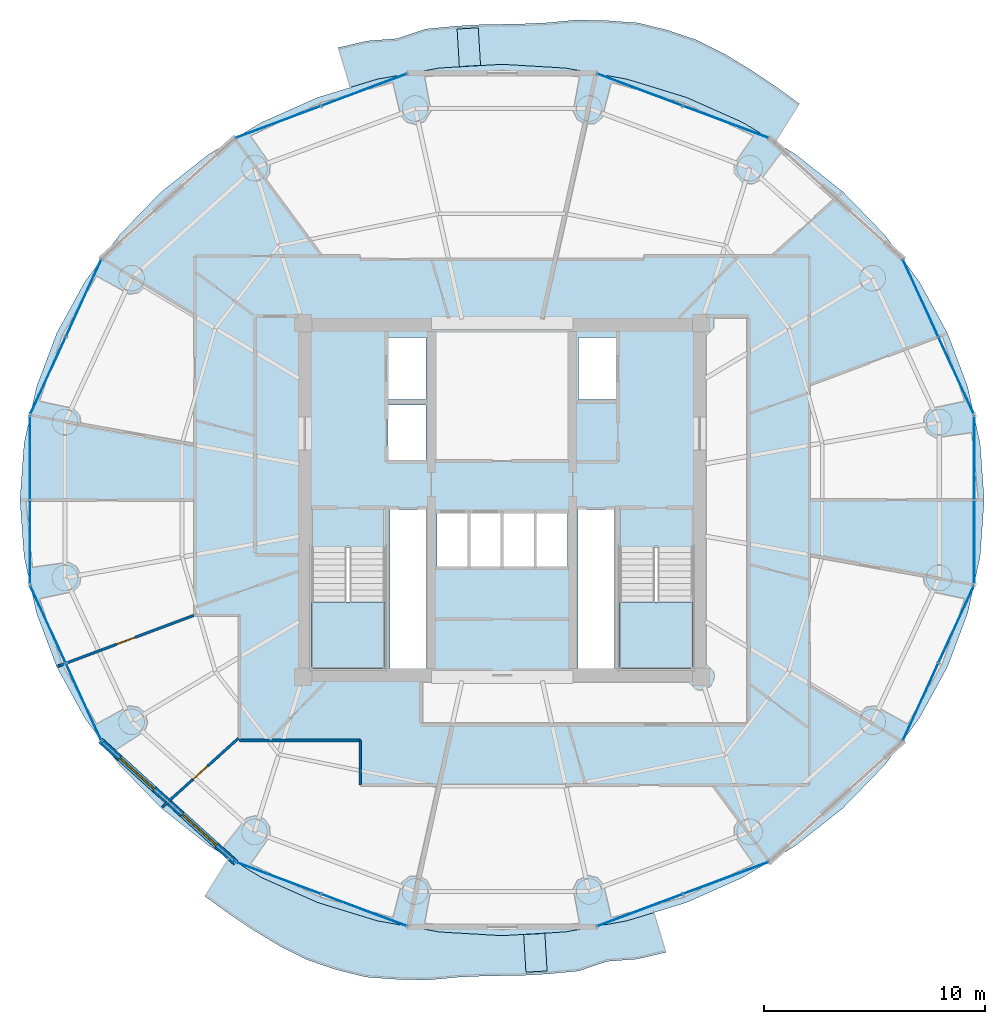
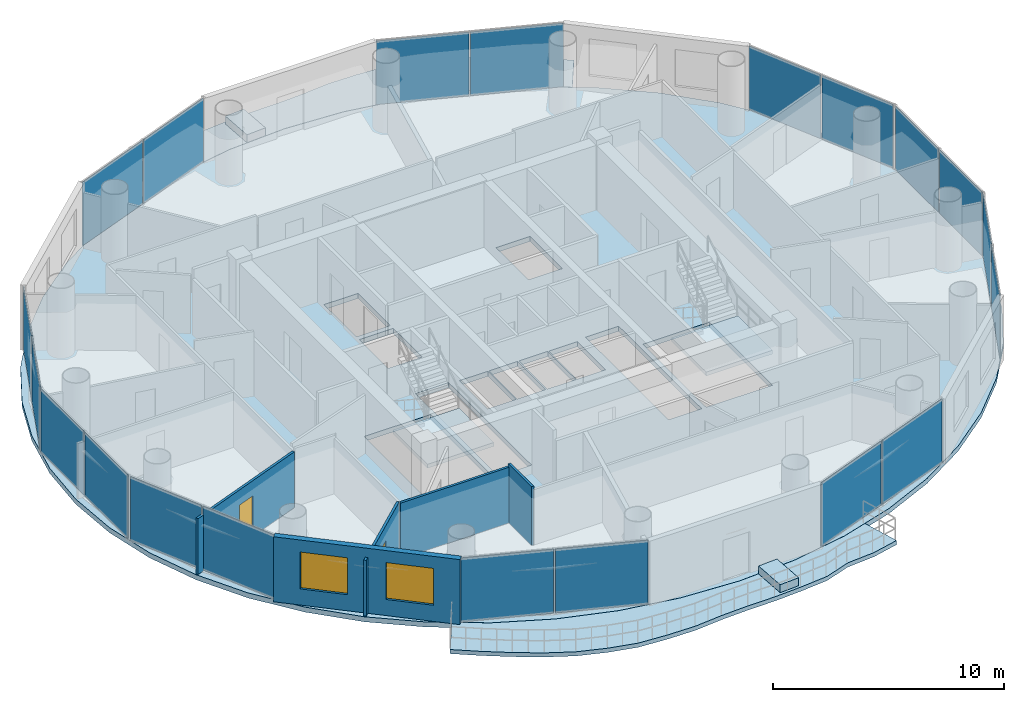
# One storey, part 19 of 26: 20 plates, 7 slabs, 5 walls, 2 doors, 2 windows, 4 openings, 12 elements without a shape of their own.
"""IFC4 building model written with IfcOpenShell, lengths in metres."""

from ifc_helpers import new_model, si_unit, direction, frame, frame_2d, origin, origin_2d, place, context, subcontext, project, spatial, polyline, rectangle, outline, extrude, source, transform, mapped, material, layer, layer_set, type_object, element, fill, aggregate, save


model = new_model("IFC4")

# Units and contexts
model_context = context("Model", 3, precision=1e-05, world=origin(), true_north=direction((-0.2419218956, 0.970295726276)))
body_context = subcontext(model_context, "Body", "Model", "MODEL_VIEW")
ifc_project = project(units=[si_unit("LENGTHUNIT", "METRE"), si_unit("AREAUNIT", "SQUARE_METRE"), si_unit("VOLUMEUNIT", "CUBIC_METRE"), si_unit("PLANEANGLEUNIT", "RADIAN"), si_unit("MASSUNIT", "GRAM", prefix="KILO")], contexts=[model_context])

# Site, building, storey
site_placement = place(None, origin())
site = spatial("IfcSite", under=ifc_project, at=site_placement, CompositionType="ELEMENT")
building_placement = place(site_placement, origin())
building = spatial("IfcBuilding", under=site, at=building_placement, Name="Cobrevalo Terracotta Tower", CompositionType="ELEMENT")
storey_placement = place(building_placement, frame((0.0, 0.0, 228.199951171875)))
storey = spatial("IfcBuildingStorey", under=building, at=storey_placement, Name="L60", CompositionType="ELEMENT", Elevation=228.199951171875)

# Stair, slab
ifc_material_1 = material(Name="Concrete C50", Category="concrete")
stair_type = type_object("IfcStairType", Name="Core protected escape dogleg stair 1600", PredefinedType="HALF_TURN_STAIR", material=ifc_material_1)
stair_1_placement = place(storey_placement, origin())
stair_1 = element("IfcStair", 1, at=stair_1_placement, inside=storey, type_object=stair_type, Name="L60 Protected exit stair ST-1", PredefinedType="HALF_TURN_STAIR")
ifc_layer_1 = layer(ifc_material_1, 0.199951171875)
ifc_layer_set_1 = layer_set([ifc_layer_1], Name="Concrete C50")
slab_type_1 = type_object("IfcSlabType", Name="Reinforced Concrete Stair Landing 200", PredefinedType="LANDING", material=ifc_layer_set_1)
slab_1_placement = place(storey_placement, frame((0.0, 0.0, 1.650146484375)))
slab_1 = element("IfcSlab", 2, at=slab_1_placement, type_object=slab_type_1, Name="ST-1 landing 1", PredefinedType="LANDING", context=body_context, shape_type="SweptSolid", body=[
    extrude(outline(polyline([(29.375, 22.179931640625), (29.375, 19.175048828125), (32.695068359375, 19.175048828125), (32.695068359375, 22.179931640625), (29.375, 22.179931640625)])), origin(), (0.0, 0.0, 1.0), 0.199951171875),
])
aggregate(stair_1, [slab_1])

stair_2_placement = place(storey_placement, origin())
stair_2 = element("IfcStair", 3, at=stair_2_placement, inside=storey, type_object=stair_type, Name="L60 Protected exit stair ST-2", PredefinedType="HALF_TURN_STAIR")
slab_2_placement = place(storey_placement, frame((0.0, 0.0, 1.650146484375)))
slab_2 = element("IfcSlab", 4, at=slab_2_placement, type_object=slab_type_1, Name="ST-2 landing 1", PredefinedType="LANDING", context=body_context, shape_type="SweptSolid", body=[
    extrude(outline(polyline([(43.304931640625, 22.179931640625), (43.304931640625, 19.175048828125), (46.625, 19.175048828125), (46.625, 22.179931640625), (43.304931640625, 22.179931640625)])), origin(), (0.0, 0.0, 1.0), 0.199951171875),
])
aggregate(stair_2, [slab_2])

# Slabs
ifc_material_2 = material(Name="Concrete C45", Category="concrete")
ifc_layer_2 = layer(ifc_material_2, 0.219970703125)
ifc_layer_set_2 = layer_set([ifc_layer_2], Name="Concrete C45")
slab_type_2 = type_object("IfcSlabType", Name="Spiralling cantilevered balcony lobe slab 220 mm", PredefinedType="FLOOR", material=ifc_layer_set_2)
slab_3_placement = place(storey_placement, frame((0.0, 0.0, -0.219970703125)))
element("IfcSlab", 5, at=slab_3_placement, inside=storey, type_object=slab_type_2, Name="L60 spiralling arc balcony slab lobe 1", PredefinedType="FLOOR", context=body_context, shape_type="SweptSolid", body=[
    extrude(outline(polyline([(51.44140625, 44.720703125), (50.351806640625, 45.511474609375), (49.21923828125, 46.2666015625), (48.03955078125, 46.979248046875), (46.802734375, 47.597412109375), (45.487548828125, 48.04296875), (44.14111328125, 48.37548828125), (42.744140625, 48.4775390625), (41.35400390625, 48.5048828125), (39.966064453125, 48.3759765625), (38.601806640625, 48.31640625), (37.248046875, 48.307861328125), (35.894287109375, 48.22802734375), (34.547119140625, 48.10009765625), (33.2529296875, 47.66357421875), (31.899169921875, 47.560546875), (30.5888671875, 47.254150390625), (31.130126953125, 45.454345703125), (32.357177734375, 45.83056640625), (35.154296875, 46.33349609375), (38.0, 46.501953125), (40.845703125, 46.33349609375), (43.642822265625, 45.83056640625), (46.34326171875, 45.002197265625), (48.90087890625, 43.862548828125), (50.357666015625, 42.98291015625), (51.44140625, 44.720703125)])), origin(), (0.0, 0.0, 1.0), 0.219970703125),
])
slab_4_placement = place(storey_placement, frame((0.0, 0.0, -0.219970703125)))
element("IfcSlab", 6, at=slab_4_placement, inside=storey, type_object=slab_type_2, Name="L60 spiralling arc balcony slab lobe 2", PredefinedType="FLOOR", context=body_context, shape_type="SweptSolid", body=[
    extrude(outline(polyline([(24.55859375, 8.87939453125), (25.648193359375, 8.088623046875), (26.78076171875, 7.33349609375), (27.96044921875, 6.620849609375), (29.197265625, 6.002685546875), (30.512451171875, 5.55712890625), (31.85888671875, 5.224609375), (33.255859375, 5.12255859375), (34.64599609375, 5.094970703125), (36.033935546875, 5.223876953125), (37.398193359375, 5.28369140625), (38.751953125, 5.292236328125), (40.105712890625, 5.371826171875), (41.452880859375, 5.5), (42.7470703125, 5.9365234375), (44.100830078125, 6.039306640625), (45.4111328125, 6.345703125), (44.869873046875, 8.145751953125), (43.642822265625, 7.769287109375), (40.845703125, 7.2666015625), (38.0, 7.097900390625), (35.154296875, 7.2666015625), (32.357177734375, 7.769287109375), (29.65673828125, 8.59765625), (27.09912109375, 9.737548828125), (25.642333984375, 10.6171875), (24.55859375, 8.87939453125)])), origin(), (0.0, 0.0, 1.0), 0.219970703125),
])
ifc_material_3 = material(Name="Precast concrete C45", Category="concrete")
ifc_layer_3 = layer(ifc_material_3, 0.419921875)
ifc_layer_set_3 = layer_set([ifc_layer_3], Name="Precast concrete C45")
slab_type_3 = type_object("IfcSlabType", Name="Structural tree planter trough base 420 mm", PredefinedType="USERDEFINED", material=ifc_layer_set_3)
slab_5_placement = place(storey_placement, origin())
element("IfcSlab", 7, at=slab_5_placement, inside=storey, type_object=slab_type_3, Name="L60 structural tree planter trough 1", ObjectType="PLANTER", PredefinedType="USERDEFINED", context=body_context, shape_type="SweptSolid", body=[
    extrude(outline(polyline([(37.025390625, 46.455078125), (36.922607421875, 48.15185546875), (35.96435546875, 48.093994140625), (36.067138671875, 46.397216796875), (37.025390625, 46.455078125)])), origin(), (0.0, 0.0, 1.0), 0.420166015625),
])
slab_6_placement = place(storey_placement, origin())
element("IfcSlab", 8, at=slab_6_placement, inside=storey, type_object=slab_type_3, Name="L60 structural tree planter trough 2", ObjectType="PLANTER", PredefinedType="USERDEFINED", context=body_context, shape_type="SweptSolid", body=[
    extrude(outline(polyline([(38.974609375, 7.14501953125), (39.077392578125, 5.447998046875), (40.03564453125, 5.506103515625), (39.932861328125, 7.202880859375), (38.974609375, 7.14501953125)])), origin(), (0.0, 0.0, 1.0), 0.420166015625),
])
ifc_layer_4 = layer(ifc_material_2, 0.264892578125)
ifc_layer_set_4 = layer_set([ifc_layer_4], Name="Concrete C45")
slab_type_4 = type_object("IfcSlabType", Name="Zone Z4 elliptical floor plate 265 mm", PredefinedType="FLOOR", material=ifc_layer_set_4)
slab_7_placement = place(storey_placement, frame((0.0, 0.0, -0.264892578125)))
element("IfcSlab", 9, at=slab_7_placement, inside=storey, type_object=slab_type_4, Name="L60 indoor elliptical floor slab", PredefinedType="FLOOR", context=body_context, shape_type="SweptSolid", body=[
    extrude(outline(polyline([(59.613525390625, 24.228515625), (59.05712890625, 21.701171875), (58.140625, 19.26123046875), (56.87939453125, 16.949951171875), (55.295166015625, 14.807373046875), (53.4150390625, 12.8701171875), (51.27099609375, 11.1708984375), (48.89990234375, 9.7392578125), (46.342529296875, 8.599609375), (43.642333984375, 7.771240234375), (40.845458984375, 7.2685546875), (38.0, 7.10009765625), (35.154541015625, 7.2685546875), (32.357666015625, 7.771240234375), (29.657470703125, 8.599609375), (27.10009765625, 9.7392578125), (24.72900390625, 11.1708984375), (22.5849609375, 12.8701171875), (20.704833984375, 14.807373046875), (19.12060546875, 16.949951171875), (17.859375, 19.26123046875), (16.94287109375, 21.701171875), (16.386474609375, 24.228515625), (16.199951171875, 26.800048828125), (16.386474609375, 29.371337890625), (16.94287109375, 31.898681640625), (17.859375, 34.3388671875), (19.12060546875, 36.64990234375), (20.704833984375, 38.79248046875), (22.5849609375, 40.72998046875), (24.72900390625, 42.428955078125), (27.10009765625, 43.860595703125), (29.657470703125, 45.00048828125), (32.357666015625, 45.828857421875), (35.154541015625, 46.33154296875), (38.0, 46.5), (40.845458984375, 46.33154296875), (43.642333984375, 45.828857421875), (46.342529296875, 45.00048828125), (48.89990234375, 43.860595703125), (51.27099609375, 42.428955078125), (53.4150390625, 40.72998046875), (55.295166015625, 38.79248046875), (56.87939453125, 36.64990234375), (58.140625, 34.3388671875), (59.05712890625, 31.898681640625), (59.613525390625, 29.371337890625), (59.800048828125, 26.800048828125), (59.613525390625, 24.228515625)]), holes=[polyline([(32.695068359375, 19.175048828125), (32.695068359375, 24.659912109375), (29.375, 24.659912109375), (29.375, 19.175048828125), (32.695068359375, 19.175048828125)]), polyline([(34.574951171875, 26.360107421875), (32.919921875, 26.360107421875), (32.919921875, 19.175048828125), (34.574951171875, 19.175048828125), (34.574951171875, 26.360107421875)]), polyline([(36.47998046875, 26.25), (35.050048828125, 26.25), (35.050048828125, 23.800048828125), (36.47998046875, 23.800048828125), (36.47998046875, 26.25)]), polyline([(37.9599609375, 23.800048828125), (37.9599609375, 26.25), (36.530029296875, 26.25), (36.530029296875, 23.800048828125), (37.9599609375, 23.800048828125)]), polyline([(34.550048828125, 28.60009765625), (34.550048828125, 31.10009765625), (32.85009765625, 31.10009765625), (32.85009765625, 28.60009765625), (34.550048828125, 28.60009765625)]), polyline([(34.550048828125, 34.14990234375), (32.85009765625, 34.14990234375), (32.85009765625, 31.35009765625), (34.550048828125, 31.35009765625), (34.550048828125, 34.14990234375)]), polyline([(43.304931640625, 19.175048828125), (46.625, 19.175048828125), (46.625, 24.659912109375), (43.304931640625, 24.659912109375), (43.304931640625, 19.175048828125)]), polyline([(43.080078125, 19.175048828125), (43.080078125, 26.360107421875), (41.425048828125, 26.360107421875), (41.425048828125, 19.175048828125), (43.080078125, 19.175048828125)]), polyline([(39.469970703125, 26.25), (38.0400390625, 26.25), (38.0400390625, 23.800048828125), (39.469970703125, 23.800048828125), (39.469970703125, 26.25)]), polyline([(40.949951171875, 23.800048828125), (40.949951171875, 26.25), (39.52001953125, 26.25), (39.52001953125, 23.800048828125), (40.949951171875, 23.800048828125)]), polyline([(43.14990234375, 31.35009765625), (43.14990234375, 34.14990234375), (41.449951171875, 34.14990234375), (41.449951171875, 31.35009765625), (43.14990234375, 31.35009765625)])]), origin(), (0.0, 0.0, 1.0), 0.264892578125),
])

# Curtain wall, plates
ifc_material_4 = material(Name="Anodized aluminium", Category="aluminium")
curtain_wall_type = type_object("IfcCurtainWallType", Name="Mid-tower high-wind unitised curtain wall CW-U2", PredefinedType="NOTDEFINED", material=ifc_material_4)
curtain_wall_1_placement = place(storey_placement, origin())
curtain_wall_1 = element("IfcCurtainWall", 10, at=curtain_wall_1_placement, inside=storey, type_object=curtain_wall_type, Name="L60 curtain wall CW-L60-S01", PredefinedType="NOTDEFINED")
ifc_material_5 = material(Name="Solar-control low-E double glazing", Category="glass")
ifc_layer_5 = layer(ifc_material_5, 0.028076171875)
ifc_layer_set_5 = layer_set([ifc_layer_5], Name="Solar-control low-E double glazing")
plate_type = type_object("IfcPlateType", Name="Tower solar-control low-E vision glass panel 28 mm", PredefinedType="CURTAIN_PANEL", material=ifc_layer_set_5)
shared_shape_1 = source(origin(), body_context, "Body", "SweptSolid", [
    extrude(rectangle(XDim=3.780029296875, YDim=0.035888671875, at=origin_2d()), origin(), (0.0, 0.0, 1.0), 3.35498046875),
])
plate_1_placement = place(storey_placement, frame((58.53076171875, 32.42822265625, 0.0400390625), z_axis=(0.0, 0.0, 1.0), x_axis=(-0.416731425355, 0.909029657999, 0.0)))
plate_1 = element("IfcPlate", 11, at=plate_1_placement, type_object=plate_type, Name="CW-L60-S01 glazing panel B01", PredefinedType="CURTAIN_PANEL", context=body_context, shape_type="MappedRepresentation", body=[
    mapped(shared_shape_1, transform((0.0, 0.0, 0.0), scale=1.0)),
])
plate_2_placement = place(storey_placement, frame((56.922119140625, 35.937255859375, 0.0400390625), z_axis=(0.0, 0.0, 1.0), x_axis=(-0.416731425355, 0.909029657999, 0.0)))
plate_2 = element("IfcPlate", 12, at=plate_2_placement, type_object=plate_type, Name="CW-L60-S01 glazing panel B02", PredefinedType="CURTAIN_PANEL", context=body_context, shape_type="MappedRepresentation", body=[
    mapped(shared_shape_1, transform((0.0, 0.0, 0.0), scale=1.0)),
])
aggregate(curtain_wall_1, [plate_1, plate_2])

curtain_wall_2_placement = place(storey_placement, origin())
curtain_wall_2 = element("IfcCurtainWall", 13, at=curtain_wall_2_placement, inside=storey, type_object=curtain_wall_type, Name="L60 curtain wall CW-L60-S07", PredefinedType="NOTDEFINED")
plate_3_placement = place(storey_placement, frame((19.077880859375, 35.937255859375, 0.0400390625), z_axis=(0.0, 0.0, 1.0), x_axis=(-0.416731425355, -0.909029657999, 0.0)))
plate_3 = element("IfcPlate", 14, at=plate_3_placement, type_object=plate_type, Name="CW-L60-S07 glazing panel B01", PredefinedType="CURTAIN_PANEL", context=body_context, shape_type="MappedRepresentation", body=[
    mapped(shared_shape_1, transform((0.0, 0.0, 0.0), scale=1.0)),
])
plate_4_placement = place(storey_placement, frame((17.46923828125, 32.42822265625, 0.0400390625), z_axis=(0.0, 0.0, 1.0), x_axis=(-0.416731425355, -0.909029657999, 0.0)))
plate_4 = element("IfcPlate", 15, at=plate_4_placement, type_object=plate_type, Name="CW-L60-S07 glazing panel B02", PredefinedType="CURTAIN_PANEL", context=body_context, shape_type="MappedRepresentation", body=[
    mapped(shared_shape_1, transform((0.0, 0.0, 0.0), scale=1.0)),
])
aggregate(curtain_wall_2, [plate_3, plate_4])

curtain_wall_3_placement = place(storey_placement, origin())
curtain_wall_3 = element("IfcCurtainWall", 16, at=curtain_wall_3_placement, inside=storey, type_object=curtain_wall_type, Name="L60 curtain wall CW-L60-S09", PredefinedType="NOTDEFINED")
plate_5_placement = place(storey_placement, frame((17.46923828125, 21.171630859375, 0.0400390625), z_axis=(0.0, 0.0, 1.0), x_axis=(0.416731425355, -0.909029657999, 0.0)))
plate_5 = element("IfcPlate", 17, at=plate_5_placement, type_object=plate_type, Name="CW-L60-S09 glazing panel B01", PredefinedType="CURTAIN_PANEL", context=body_context, shape_type="MappedRepresentation", body=[
    mapped(shared_shape_1, transform((0.0, 0.0, 0.0), scale=1.0)),
])
plate_6_placement = place(storey_placement, frame((19.077880859375, 17.662841796875, 0.0400390625), z_axis=(0.0, 0.0, 1.0), x_axis=(0.416731425355, -0.909029657999, 0.0)))
plate_6 = element("IfcPlate", 18, at=plate_6_placement, type_object=plate_type, Name="CW-L60-S09 glazing panel B02", PredefinedType="CURTAIN_PANEL", context=body_context, shape_type="MappedRepresentation", body=[
    mapped(shared_shape_1, transform((0.0, 0.0, 0.0), scale=1.0)),
])
aggregate(curtain_wall_3, [plate_5, plate_6])

curtain_wall_4_placement = place(storey_placement, origin())
curtain_wall_4 = element("IfcCurtainWall", 19, at=curtain_wall_4_placement, inside=storey, type_object=curtain_wall_type, Name="L60 curtain wall CW-L60-S15", PredefinedType="NOTDEFINED")
plate_7_placement = place(storey_placement, frame((56.922119140625, 17.662841796875, 0.0400390625), z_axis=(0.0, 0.0, 1.0), x_axis=(0.416731425355, 0.909029657999, 0.0)))
plate_7 = element("IfcPlate", 20, at=plate_7_placement, type_object=plate_type, Name="CW-L60-S15 glazing panel B01", PredefinedType="CURTAIN_PANEL", context=body_context, shape_type="MappedRepresentation", body=[
    mapped(shared_shape_1, transform((0.0, 0.0, 0.0), scale=1.0)),
])
plate_8_placement = place(storey_placement, frame((58.53076171875, 21.171630859375, 0.0400390625), z_axis=(0.0, 0.0, 1.0), x_axis=(0.416731425355, 0.909029657999, 0.0)))
plate_8 = element("IfcPlate", 21, at=plate_8_placement, type_object=plate_type, Name="CW-L60-S15 glazing panel B02", PredefinedType="CURTAIN_PANEL", context=body_context, shape_type="MappedRepresentation", body=[
    mapped(shared_shape_1, transform((0.0, 0.0, 0.0), scale=1.0)),
])
aggregate(curtain_wall_4, [plate_7, plate_8])

curtain_wall_5_placement = place(storey_placement, origin())
curtain_wall_5 = element("IfcCurtainWall", 22, at=curtain_wall_5_placement, inside=storey, type_object=curtain_wall_type, Name="L60 curtain wall CW-L60-S08", PredefinedType="NOTDEFINED")
shared_shape_2 = source(origin(), body_context, "Body", "SweptSolid", [
    extrude(rectangle(XDim=3.71728515625, YDim=0.035888671875, at=origin_2d()), origin(), (0.0, 0.0, 1.0), 3.35498046875),
])
plate_9_placement = place(storey_placement, frame((16.648193359375, 28.69873046875, 0.0400390625), z_axis=(0.0, 0.0, 1.0), x_axis=(0.0, -1.0, 0.0)))
plate_9 = element("IfcPlate", 23, at=plate_9_placement, type_object=plate_type, Name="CW-L60-S08 glazing panel B01", PredefinedType="CURTAIN_PANEL", context=body_context, shape_type="MappedRepresentation", body=[
    mapped(shared_shape_2, transform((0.0, 0.0, 0.0), scale=1.0)),
])
plate_10_placement = place(storey_placement, frame((16.648193359375, 24.9013671875, 0.0400390625), z_axis=(0.0, 0.0, 1.0), x_axis=(0.0, -1.0, 0.0)))
plate_10 = element("IfcPlate", 24, at=plate_10_placement, type_object=plate_type, Name="CW-L60-S08 glazing panel B02", PredefinedType="CURTAIN_PANEL", context=body_context, shape_type="MappedRepresentation", body=[
    mapped(shared_shape_2, transform((0.0, 0.0, 0.0), scale=1.0)),
])
aggregate(curtain_wall_5, [plate_9, plate_10])

curtain_wall_6_placement = place(storey_placement, origin())
curtain_wall_6 = element("IfcCurtainWall", 25, at=curtain_wall_6_placement, inside=storey, type_object=curtain_wall_type, Name="L60 curtain wall CW-L60-S16", PredefinedType="NOTDEFINED")
plate_11_placement = place(storey_placement, frame((59.351806640625, 24.9013671875, 0.0400390625), z_axis=(0.0, 0.0, 1.0), x_axis=(0.0, 1.0, 0.0)))
plate_11 = element("IfcPlate", 26, at=plate_11_placement, type_object=plate_type, Name="CW-L60-S16 glazing panel B01", PredefinedType="CURTAIN_PANEL", context=body_context, shape_type="MappedRepresentation", body=[
    mapped(shared_shape_2, transform((0.0, 0.0, 0.0), scale=1.0)),
])
plate_12_placement = place(storey_placement, frame((59.351806640625, 28.69873046875, 0.0400390625), z_axis=(0.0, 0.0, 1.0), x_axis=(0.0, 1.0, 0.0)))
plate_12 = element("IfcPlate", 27, at=plate_12_placement, type_object=plate_type, Name="CW-L60-S16 glazing panel B02", PredefinedType="CURTAIN_PANEL", context=body_context, shape_type="MappedRepresentation", body=[
    mapped(shared_shape_2, transform((0.0, 0.0, 0.0), scale=1.0)),
])
aggregate(curtain_wall_6, [plate_11, plate_12])

curtain_wall_7_placement = place(storey_placement, origin())
curtain_wall_7 = element("IfcCurtainWall", 28, at=curtain_wall_7_placement, inside=storey, type_object=curtain_wall_type, Name="L60 curtain wall CW-L60-S03", PredefinedType="NOTDEFINED")
shared_shape_3 = source(origin(), body_context, "Body", "SweptSolid", [
    extrude(rectangle(XDim=4.069580078125, YDim=0.035888671875, at=origin_2d()), origin(), (0.0, 0.0, 1.0), 3.35498046875),
])
plate_13_placement = place(storey_placement, frame((48.114013671875, 43.896240234375, 0.0400390625), z_axis=(0.0, 0.0, 1.0), x_axis=(-0.936557839879, 0.350513070458, 0.0)))
plate_13 = element("IfcPlate", 29, at=plate_13_placement, type_object=plate_type, Name="CW-L60-S03 glazing panel B01", PredefinedType="CURTAIN_PANEL", context=body_context, shape_type="MappedRepresentation", body=[
    mapped(shared_shape_3, transform((0.0, 0.0, 0.0), scale=1.0)),
])
plate_14_placement = place(storey_placement, frame((44.227783203125, 45.350830078125, 0.0400390625), z_axis=(0.0, 0.0, 1.0), x_axis=(-0.936557839879, 0.350513070458, 0.0)))
plate_14 = element("IfcPlate", 30, at=plate_14_placement, type_object=plate_type, Name="CW-L60-S03 glazing panel B02", PredefinedType="CURTAIN_PANEL", context=body_context, shape_type="MappedRepresentation", body=[
    mapped(shared_shape_3, transform((0.0, 0.0, 0.0), scale=1.0)),
])
aggregate(curtain_wall_7, [plate_13, plate_14])

curtain_wall_8_placement = place(storey_placement, origin())
curtain_wall_8 = element("IfcCurtainWall", 31, at=curtain_wall_8_placement, inside=storey, type_object=curtain_wall_type, Name="L60 curtain wall CW-L60-S05", PredefinedType="NOTDEFINED")
plate_15_placement = place(storey_placement, frame((31.772216796875, 45.350830078125, 0.0400390625), z_axis=(0.0, 0.0, 1.0), x_axis=(-0.936557839879, -0.350513070458, 0.0)))
plate_15 = element("IfcPlate", 32, at=plate_15_placement, type_object=plate_type, Name="CW-L60-S05 glazing panel B01", PredefinedType="CURTAIN_PANEL", context=body_context, shape_type="MappedRepresentation", body=[
    mapped(shared_shape_3, transform((0.0, 0.0, 0.0), scale=1.0)),
])
plate_16_placement = place(storey_placement, frame((27.885986328125, 43.896240234375, 0.0400390625), z_axis=(0.0, 0.0, 1.0), x_axis=(-0.936557839879, -0.350513070458, 0.0)))
plate_16 = element("IfcPlate", 33, at=plate_16_placement, type_object=plate_type, Name="CW-L60-S05 glazing panel B02", PredefinedType="CURTAIN_PANEL", context=body_context, shape_type="MappedRepresentation", body=[
    mapped(shared_shape_3, transform((0.0, 0.0, 0.0), scale=1.0)),
])
aggregate(curtain_wall_8, [plate_15, plate_16])

curtain_wall_9_placement = place(storey_placement, origin())
curtain_wall_9 = element("IfcCurtainWall", 34, at=curtain_wall_9_placement, inside=storey, type_object=curtain_wall_type, Name="L60 curtain wall CW-L60-S11", PredefinedType="NOTDEFINED")
plate_17_placement = place(storey_placement, frame((27.885986328125, 9.70361328125, 0.0400390625), z_axis=(0.0, 0.0, 1.0), x_axis=(0.936557839879, -0.350513070458, 0.0)))
plate_17 = element("IfcPlate", 35, at=plate_17_placement, type_object=plate_type, Name="CW-L60-S11 glazing panel B01", PredefinedType="CURTAIN_PANEL", context=body_context, shape_type="MappedRepresentation", body=[
    mapped(shared_shape_3, transform((0.0, 0.0, 0.0), scale=1.0)),
])
plate_18_placement = place(storey_placement, frame((31.772216796875, 8.249267578125, 0.0400390625), z_axis=(0.0, 0.0, 1.0), x_axis=(0.936557839879, -0.350513070458, 0.0)))
plate_18 = element("IfcPlate", 36, at=plate_18_placement, type_object=plate_type, Name="CW-L60-S11 glazing panel B02", PredefinedType="CURTAIN_PANEL", context=body_context, shape_type="MappedRepresentation", body=[
    mapped(shared_shape_3, transform((0.0, 0.0, 0.0), scale=1.0)),
])
aggregate(curtain_wall_9, [plate_17, plate_18])

curtain_wall_10_placement = place(storey_placement, origin())
curtain_wall_10 = element("IfcCurtainWall", 37, at=curtain_wall_10_placement, inside=storey, type_object=curtain_wall_type, Name="L60 curtain wall CW-L60-S13", PredefinedType="NOTDEFINED")
plate_19_placement = place(storey_placement, frame((44.227783203125, 8.249267578125, 0.0400390625), z_axis=(0.0, 0.0, 1.0), x_axis=(0.936557839879, 0.350513070458, 0.0)))
plate_19 = element("IfcPlate", 38, at=plate_19_placement, type_object=plate_type, Name="CW-L60-S13 glazing panel B01", PredefinedType="CURTAIN_PANEL", context=body_context, shape_type="MappedRepresentation", body=[
    mapped(shared_shape_3, transform((0.0, 0.0, 0.0), scale=1.0)),
])
plate_20_placement = place(storey_placement, frame((48.114013671875, 9.70361328125, 0.0400390625), z_axis=(0.0, 0.0, 1.0), x_axis=(0.936557839879, 0.350513070458, 0.0)))
plate_20 = element("IfcPlate", 39, at=plate_20_placement, type_object=plate_type, Name="CW-L60-S13 glazing panel B02", PredefinedType="CURTAIN_PANEL", context=body_context, shape_type="MappedRepresentation", body=[
    mapped(shared_shape_3, transform((0.0, 0.0, 0.0), scale=1.0)),
])
aggregate(curtain_wall_10, [plate_19, plate_20])

# Wall, openings, windows
ifc_material_6 = material(Name="Autoclaved aerated concrete block", Category="concrete")
ifc_layer_6 = layer(ifc_material_6, 0.280029296875)
ifc_layer_set_6 = layer_set([ifc_layer_6], Name="Autoclaved aerated concrete block")
wall_type_1 = type_object("IfcWallType", Name="Insulated tower spandrel & pier wall 280 mm with terracotta rainscreen", PredefinedType="SOLIDWALL", material=ifc_layer_set_6)
wall_1_placement = place(storey_placement, frame((19.839599609375, 15.925537109375, 0.0), z_axis=(0.0, 0.0, 1.0), x_axis=(0.741986838603, -0.670414447443, 0.0)))
wall_1 = element("IfcWall", 40, at=wall_1_placement, inside=storey, type_object=wall_type_1, Name="L60 terracotta rainscreen pier wall S10", PredefinedType="SOLIDWALL", context=body_context, shape_type="SweptSolid", body=[
    extrude(rectangle(XDim=8.2548828125, YDim=0.280029296875, at=frame_2d((4.12744140625, 0.0))), origin(), (0.0, 0.0, 1.0), 3.43505859375),
])
opening_1_placement = place(wall_1_placement, frame((1.1787109375, 0.0, 0.85009765625)))
opening_1 = element("IfcOpeningElement", 41, at=opening_1_placement, cuts=wall_1, Name="Opening WN-10", PredefinedType="OPENING", context=body_context, shape_type="SweptSolid", body=[
    extrude(rectangle(XDim=2.10009765625, YDim=1.949951171875, at=frame_2d((1.050048828125, 0.97509765625))), frame((0.0, 0.14990234375, 0.0), z_axis=(0.0, -1.0, 0.0), x_axis=(1.0, 0.0, 0.0)), (0.0, 0.0, 1.0), 0.300048828125),
])
opening_2_placement = place(wall_1_placement, frame((4.97607421875, 0.0, 0.85009765625)))
opening_2 = element("IfcOpeningElement", 42, at=opening_2_placement, cuts=wall_1, Name="Opening WN-10", PredefinedType="OPENING", context=body_context, shape_type="SweptSolid", body=[
    extrude(rectangle(XDim=2.10009765625, YDim=1.949951171875, at=frame_2d((1.050048828125, 0.97509765625))), frame((0.0, 0.14990234375, 0.0), z_axis=(0.0, -1.0, 0.0), x_axis=(1.0, 0.0, 0.0)), (0.0, 0.0, 1.0), 0.300048828125),
])
window_type = type_object("IfcWindowType", Name="Wide panoramic low-E aluminium window 2100x1950", PartitioningType="SINGLE_PANEL", PredefinedType="WINDOW", material=ifc_material_5)
shared_shape_4 = source(origin(), body_context, "Body", "SweptSolid", [
    extrude(rectangle(XDim=2.10009765625, YDim=1.949951171875, at=frame_2d((1.050048828125, 0.97509765625))), frame((0.0, 0.030029296875, 0.0), z_axis=(0.0, -1.0, 0.0), x_axis=(1.0, 0.0, 0.0)), (0.0, 0.0, 1.0), 0.06005859375),
])
window_1_placement = place(opening_1_placement, origin())
window_1 = element("IfcWindow", 43, at=window_1_placement, inside=storey, type_object=window_type, Name="L60 suite window S10A", OverallHeight=1.949951171875, OverallWidth=2.10009765625, PartitioningType="SINGLE_PANEL", PredefinedType="WINDOW", context=body_context, shape_type="MappedRepresentation", body=[
    mapped(shared_shape_4, transform((0.0, 0.0, 0.0), scale=1.0)),
])
fill(opening_1, window_1)
window_2_placement = place(opening_2_placement, origin())
window_2 = element("IfcWindow", 44, at=window_2_placement, inside=storey, type_object=window_type, Name="L60 suite window S10B", OverallHeight=1.949951171875, OverallWidth=2.10009765625, PartitioningType="SINGLE_PANEL", PredefinedType="WINDOW", context=body_context, shape_type="MappedRepresentation", body=[
    mapped(shared_shape_4, transform((0.0, 0.0, 0.0), scale=1.0)),
])
fill(opening_2, window_2)

# Walls
ifc_material_7 = material(Name="Gypsum board on steel stud", Category="steel")
ifc_layer_7 = layer(ifc_material_7, 0.1201171875)
ifc_layer_set_7 = layer_set([ifc_layer_7], Name="Gypsum board on steel stud")
wall_type_2 = type_object("IfcWallType", Name="Residential internal acoustic stud partition 120 mm", PredefinedType="PARTITIONING", material=ifc_layer_set_7)
wall_2_placement = place(storey_placement, frame((31.590087890625, 13.9150390625, 0.0), z_axis=(0.0, 0.0, 1.0), x_axis=(0.0, 1.0, 0.0)))
element("IfcWall", 45, at=wall_2_placement, inside=storey, type_object=wall_type_2, Name="L60 interior partition IW-L60-U1-RING1_0", PredefinedType="PARTITIONING", context=body_context, shape_type="SweptSolid", body=[
    extrude(rectangle(XDim=2.010009765625, YDim=0.1201171875, at=frame_2d((1.0048828125, 0.0))), origin(), (0.0, 0.0, 1.0), 3.110107421875),
])
wall_3_placement = place(storey_placement, frame((31.590087890625, 15.925048828125, 0.0), z_axis=(0.0, 0.0, 1.0), x_axis=(-1.0, 0.0, 0.0)))
element("IfcWall", 46, at=wall_3_placement, inside=storey, type_object=wall_type_2, Name="L60 interior partition IW-L60-U1-RING2_0", PredefinedType="PARTITIONING", context=body_context, shape_type="SweptSolid", body=[
    extrude(rectangle(XDim=5.465087890625, YDim=0.1201171875, at=frame_2d((2.732421875, 0.0))), origin(), (0.0, 0.0, 1.0), 2.950927734375),
])

# Wall, opening, door
wall_4_placement = place(storey_placement, frame((24.056884765625, 21.5810546875, 0.0), z_axis=(0.0, 0.0, 1.0), x_axis=(-0.936527968377, -0.350592875637, 0.0)))
wall_4 = element("IfcWall", 47, at=wall_4_placement, inside=storey, type_object=wall_type_2, Name="L60 interior partition IW-L60-U1-ORAD4", PredefinedType="PARTITIONING", context=body_context, shape_type="SweptSolid", body=[
    extrude(rectangle(XDim=6.556396484375, YDim=0.1201171875, at=frame_2d((3.2783203125, 0.0))), origin(), (0.0, 0.0, 1.0), 2.950927734375),
])
opening_3_placement = place(wall_4_placement, frame((2.828125, 0.0, 0.0)))
opening_3 = element("IfcOpeningElement", 48, at=opening_3_placement, cuts=wall_4, Name="Opening ID-12", PredefinedType="OPENING", context=body_context, shape_type="SweptSolid", body=[
    extrude(rectangle(XDim=0.89990234375, YDim=2.14990234375, at=frame_2d((0.449951171875, 1.074951171875))), frame((0.0, 0.070068359375, 0.0), z_axis=(0.0, -1.0, 0.0), x_axis=(1.0, 0.0, 0.0)), (0.0, 0.0, 1.0), 0.14013671875),
])
ifc_material_8 = material(Name="Engineered timber", Category="wood")
door_type = type_object("IfcDoorType", Name="Internal residence & suite timber door 900x2150", OperationType="NOTDEFINED", PredefinedType="DOOR", material=ifc_material_8)
shared_shape_5 = source(origin(), body_context, "Body", "SweptSolid", [
    extrude(rectangle(XDim=0.89990234375, YDim=2.14990234375, at=frame_2d((0.449951171875, 1.074951171875))), frame((0.0, 0.02490234375, 0.0), z_axis=(0.0, -1.0, 0.0), x_axis=(1.0, 0.0, 0.0)), (0.0, 0.0, 1.0), 0.050048828125),
])
door_1_placement = place(opening_3_placement, origin())
door_1 = element("IfcDoor", 49, at=door_1_placement, inside=storey, type_object=door_type, Name="Flat L60A Penthouse Family Lounge internal door", OperationType="SINGLE_SWING_LEFT", OverallHeight=2.14990234375, OverallWidth=0.89990234375, PredefinedType="DOOR", context=body_context, shape_type="MappedRepresentation", body=[
    mapped(shared_shape_5, transform((0.0, 0.0, 0.0), scale=1.0)),
])
fill(opening_3, door_1)

wall_5_placement = place(storey_placement, frame((26.0791015625, 16.02734375, 0.0), z_axis=(0.0, 0.0, 1.0), x_axis=(-0.741950057395, -0.67045515311, 0.0)))
wall_5 = element("IfcWall", 50, at=wall_5_placement, inside=storey, type_object=wall_type_2, Name="L60 interior partition IW-L60-U1-ORAD5", PredefinedType="PARTITIONING", context=body_context, shape_type="SweptSolid", body=[
    extrude(rectangle(XDim=4.6474609375, YDim=0.1201171875, at=frame_2d((2.32373046875, 0.0))), origin(), (0.0, 0.0, 1.0), 2.950927734375),
])
opening_4_placement = place(wall_5_placement, frame((1.873779296875, 0.0, 0.0)))
opening_4 = element("IfcOpeningElement", 51, at=opening_4_placement, cuts=wall_5, Name="Opening ID-12", PredefinedType="OPENING", context=body_context, shape_type="SweptSolid", body=[
    extrude(rectangle(XDim=0.89990234375, YDim=2.14990234375, at=frame_2d((0.449951171875, 1.074951171875))), frame((0.0, 0.070068359375, 0.0), z_axis=(0.0, -1.0, 0.0), x_axis=(1.0, 0.0, 0.0)), (0.0, 0.0, 1.0), 0.14013671875),
])
door_2_placement = place(opening_4_placement, origin())
door_2 = element("IfcDoor", 52, at=door_2_placement, inside=storey, type_object=door_type, Name="Flat L60A Private Cinema Room internal door", OperationType="SINGLE_SWING_RIGHT", OverallHeight=2.14990234375, OverallWidth=0.89990234375, PredefinedType="DOOR", context=body_context, shape_type="MappedRepresentation", body=[
    mapped(shared_shape_5, transform((0.0, 0.0, 0.0), scale=1.0)),
])
fill(opening_4, door_2)

save(model, "model.ifc")
